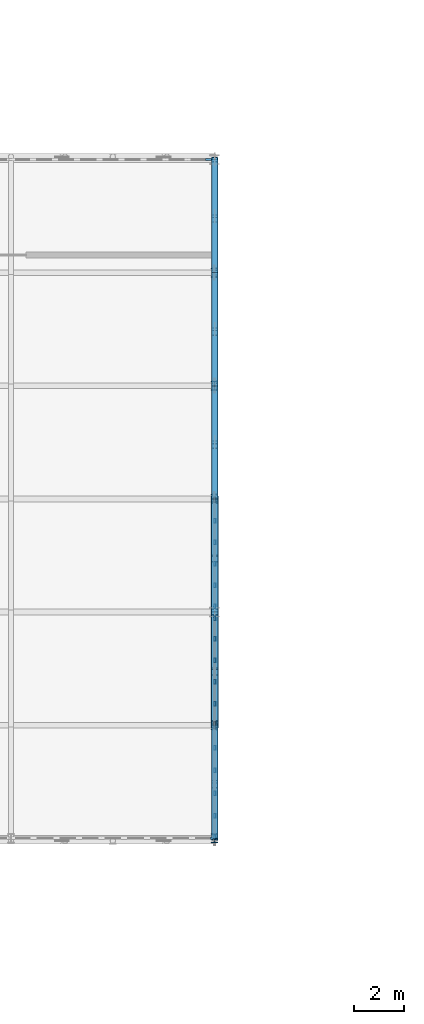
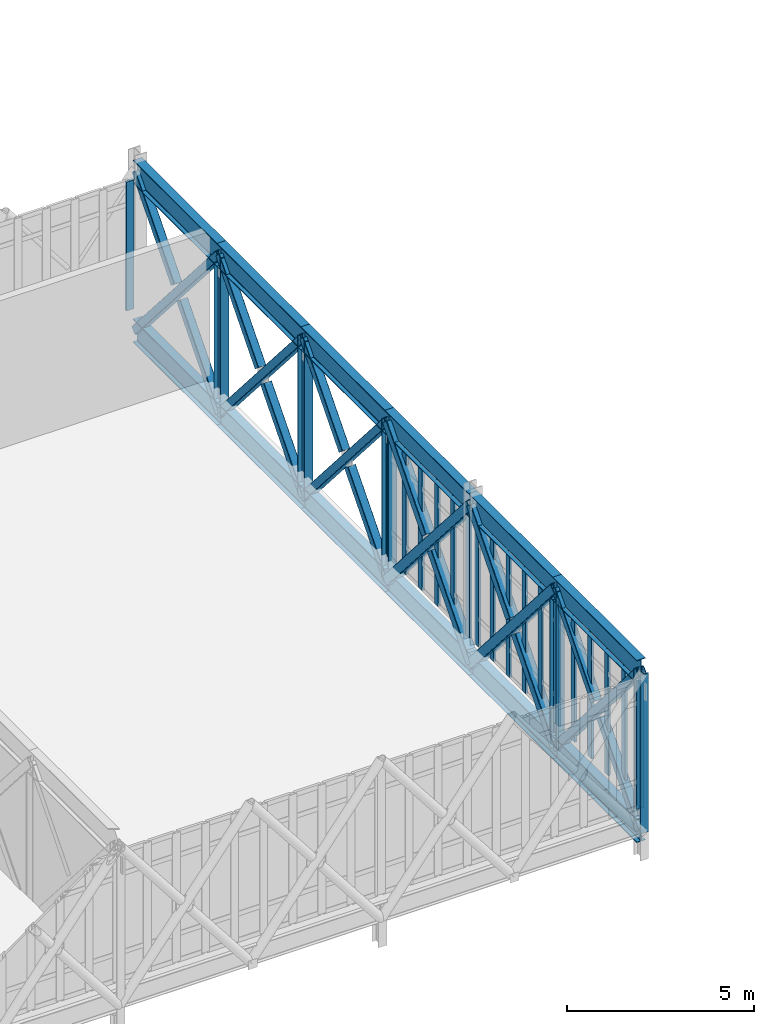
# One storey, part 24 of 107: 43 members, 12 beams, 5 elements without a shape of their own.
"""IFC4 building model written with IfcOpenShell, lengths in metres."""

from ifc_helpers import new_model, si_unit, direction, frame, origin, origin_2d, place, context, subcontext, project, spatial, rectangle, hollow_rectangle, i_section, extrude, material, material_profile, profile_set, type_object, element, aggregate, save


model = new_model("IFC4")

# Units and contexts
model_context = context("Model", 3, precision=1e-05, world=origin(), true_north=direction((0.0, 1.0)))
body_context = subcontext(model_context, "Body", "Model", "MODEL_VIEW")
ifc_project = project(units=[si_unit("LENGTHUNIT", "METRE"), si_unit("AREAUNIT", "SQUARE_METRE"), si_unit("VOLUMEUNIT", "CUBIC_METRE"), si_unit("PLANEANGLEUNIT", "RADIAN"), si_unit("MASSUNIT", "GRAM", prefix="KILO")], contexts=[model_context])

# Site, building, storey
site_placement = place(None, origin())
site = spatial("IfcSite", under=ifc_project, at=site_placement, CompositionType="ELEMENT")
building_placement = place(site_placement, origin())
building = spatial("IfcBuilding", under=site, at=building_placement, Name="Tarnveldt Square Police Headquarters", CompositionType="ELEMENT")
storey_placement = place(building_placement, frame((0.0, 0.0, 14.699951171875)))
storey = spatial("IfcBuildingStorey", under=building, at=storey_placement, Name="L03", CompositionType="ELEMENT", Elevation=14.699951171875)

# Beams
ifc_material_1 = material(Name="Steel 350W", Category="steel")
ifc_material_profile_1 = material_profile(ifc_material_1, i_section(OverallWidth=0.26708984375, OverallDepth=0.76611328125, WebThickness=0.014892578125, FlangeThickness=0.023681640625, FilletRadius=0.02197265625, at=origin_2d()), Name="W760x185")
ifc_profile_set_1 = profile_set([ifc_material_profile_1], Name="Steel 350W")
beam_type = type_object("IfcBeamType", Name="BM-CT-BOT", PredefinedType="BEAM", material=ifc_profile_set_1)
for number, where, z_axis, x_axis, name in (
    (1, (64.800048828125, 34.0, -0.742919921875), (0.0, -1.0, 0.0), (1.0, 0.0, 0.0), "Cantilever Truss CT-4 Bottom Chord 1"),
    (2, (64.800048828125, 34.0, 4.45703125), (0.0, -1.0, 0.0), (1.0, 0.0, 0.0), "Cantilever Truss CT-4 Mid Chord 1"),
    (3, (64.800048828125, 29.5, -0.742919921875), (0.0, -1.0, 0.0), (1.0, 0.0, 0.0), "Cantilever Truss CT-4 Bottom Chord 2"),
    (4, (64.800048828125, 29.5, 4.45703125), (0.0, -1.0, 0.0), (1.0, 0.0, 0.0), "Cantilever Truss CT-4 Mid Chord 2"),
    (5, (64.800048828125, 25.0, -0.742919921875), (0.0, -1.0, 0.0), (1.0, 0.0, 0.0), "Cantilever Truss CT-4 Bottom Chord 3"),
    (6, (64.800048828125, 25.0, 4.45703125), (0.0, -1.0, 0.0), (1.0, 0.0, 0.0), "Cantilever Truss CT-4 Mid Chord 3"),
    (7, (64.800048828125, 20.5, -0.742919921875), (0.0, -1.0, 0.0), (1.0, 0.0, 0.0), "Cantilever Truss CT-4 Bottom Chord 4"),
    (8, (64.800048828125, 20.5, 4.45703125), (0.0, -1.0, 0.0), (1.0, 0.0, 0.0), "Cantilever Truss CT-4 Mid Chord 4"),
    (9, (64.800048828125, 16.0, -0.742919921875), (0.0, -1.0, 0.0), (1.0, 0.0, 0.0), "Cantilever Truss CT-4 Bottom Chord 5"),
    (10, (64.800048828125, 16.0, 4.45703125), (0.0, -1.0, 0.0), (1.0, 0.0, 0.0), "Cantilever Truss CT-4 Mid Chord 5"),
    (11, (64.800048828125, 11.5, -0.742919921875), (0.0, -1.0, 0.0), (1.0, 0.0, 0.0), "Cantilever Truss CT-4 Bottom Chord 6"),
    (12, (64.800048828125, 11.5, 4.45703125), (0.0, -1.0, 0.0), (1.0, 0.0, 0.0), "Cantilever Truss CT-4 Mid Chord 6"),
):
    element("IfcBeam", number, at=place(storey_placement, frame(where, z_axis=z_axis, x_axis=x_axis)), inside=storey, type_object=beam_type, Name=name, PredefinedType="BEAM", context=body_context, shape_type="SweptSolid", body=[
        extrude(i_section(OverallWidth=0.26708984375, OverallDepth=0.76611328125, WebThickness=0.014892578125, FlangeThickness=0.023681640625, FilletRadius=0.02197265625, at=origin_2d()), origin(), (0.0, 0.0, 1.0), 4.5),
    ])

# Curtain wall, members
ifc_material_2 = material(Name="Triple-glazed low-e laminated vision glass", Category="glass")
curtain_wall_type_1 = type_object("IfcCurtainWallType", Name="CW-LT-450x407", PredefinedType="USERDEFINED", material=ifc_material_2)
curtain_wall_1_placement = place(storey_placement, origin())
curtain_wall_1 = element("IfcCurtainWall", 13, at=curtain_wall_1_placement, inside=storey, type_object=curtain_wall_type_1, Name="L03 Curtain Wall CW-L03-037", ObjectType="GLAZED CURTAIN WALL", PredefinedType="USERDEFINED")
ifc_material_3 = material(Name="Thermally broken anodised aluminium 6063-T6", Category="aluminium")
ifc_material_profile_2 = material_profile(ifc_material_3, rectangle(XDim=0.074951171875, YDim=0.199951171875, at=origin_2d()), Name="CW-M75x200")
ifc_profile_set_2 = profile_set([ifc_material_profile_2], Name="Thermally broken anodised aluminium 6063-T6")
member_type_1 = type_object("IfcMemberType", Name="CWM-75x200", PredefinedType="MULLION", material=ifc_profile_set_2)
member_1_placement = place(storey_placement, frame((64.800048828125, 7.03759765625, 0.0), z_axis=(0.0, 0.0, 1.0), x_axis=(-1.0, 0.0, 0.0)))
member_1 = element("IfcMember", 14, at=member_1_placement, type_object=member_type_1, Name="CW-LT16 mullion 1", PredefinedType="MULLION", context=body_context, shape_type="SweptSolid", body=[
    extrude(rectangle(XDim=0.074951171875, YDim=0.199951171875, at=origin_2d()), origin(), (0.0, 0.0, 1.0), 4.066162109375),
])
member_2_placement = place(storey_placement, frame((64.800048828125, 7.89990234375, 0.0), z_axis=(0.0, 0.0, 1.0), x_axis=(-1.0, 0.0, 0.0)))
member_2 = element("IfcMember", 15, at=member_2_placement, type_object=member_type_1, Name="CW-LT16 mullion 2", PredefinedType="MULLION", context=body_context, shape_type="SweptSolid", body=[
    extrude(rectangle(XDim=0.074951171875, YDim=0.199951171875, at=origin_2d()), origin(), (0.0, 0.0, 1.0), 4.066162109375),
])
member_3_placement = place(storey_placement, frame((64.800048828125, 8.800048828125, 0.0), z_axis=(0.0, 0.0, 1.0), x_axis=(-1.0, 0.0, 0.0)))
member_3 = element("IfcMember", 16, at=member_3_placement, type_object=member_type_1, Name="CW-LT16 mullion 3", PredefinedType="MULLION", context=body_context, shape_type="SweptSolid", body=[
    extrude(rectangle(XDim=0.074951171875, YDim=0.199951171875, at=origin_2d()), origin(), (0.0, 0.0, 1.0), 4.066162109375),
])
member_4_placement = place(storey_placement, frame((64.800048828125, 9.699951171875, 0.0), z_axis=(0.0, 0.0, 1.0), x_axis=(-1.0, 0.0, 0.0)))
member_4 = element("IfcMember", 17, at=member_4_placement, type_object=member_type_1, Name="CW-LT16 mullion 4", PredefinedType="MULLION", context=body_context, shape_type="SweptSolid", body=[
    extrude(rectangle(XDim=0.074951171875, YDim=0.199951171875, at=origin_2d()), origin(), (0.0, 0.0, 1.0), 4.066162109375),
])
member_5_placement = place(storey_placement, frame((64.800048828125, 10.60009765625, 0.0), z_axis=(0.0, 0.0, 1.0), x_axis=(-1.0, 0.0, 0.0)))
member_5 = element("IfcMember", 18, at=member_5_placement, type_object=member_type_1, Name="CW-LT16 mullion 5", PredefinedType="MULLION", context=body_context, shape_type="SweptSolid", body=[
    extrude(rectangle(XDim=0.074951171875, YDim=0.199951171875, at=origin_2d()), origin(), (0.0, 0.0, 1.0), 4.066162109375),
])
member_6_placement = place(storey_placement, frame((64.800048828125, 11.46240234375, 0.0), z_axis=(0.0, 0.0, 1.0), x_axis=(-1.0, 0.0, 0.0)))
member_6 = element("IfcMember", 19, at=member_6_placement, type_object=member_type_1, Name="CW-LT16 mullion 6", PredefinedType="MULLION", context=body_context, shape_type="SweptSolid", body=[
    extrude(rectangle(XDim=0.074951171875, YDim=0.199951171875, at=origin_2d()), origin(), (0.0, 0.0, 1.0), 4.066162109375),
])
aggregate(curtain_wall_1, [member_1, member_2, member_3, member_4, member_5, member_6])

curtain_wall_type_2 = type_object("IfcCurtainWallType", Name="CW-LT-430x407", PredefinedType="USERDEFINED", material=ifc_material_2)
curtain_wall_2_placement = place(storey_placement, origin())
curtain_wall_2 = element("IfcCurtainWall", 20, at=curtain_wall_2_placement, inside=storey, type_object=curtain_wall_type_2, Name="L03 Curtain Wall CW-L03-038", ObjectType="GLAZED CURTAIN WALL", PredefinedType="USERDEFINED")
member_7_placement = place(storey_placement, frame((64.800048828125, 11.53759765625, 0.0), z_axis=(0.0, 0.0, 1.0), x_axis=(-1.0, 0.0, 0.0)))
member_7 = element("IfcMember", 21, at=member_7_placement, type_object=member_type_1, Name="CW-LT15 mullion 1", PredefinedType="MULLION", context=body_context, shape_type="SweptSolid", body=[
    extrude(rectangle(XDim=0.074951171875, YDim=0.199951171875, at=origin_2d()), origin(), (0.0, 0.0, 1.0), 4.066162109375),
])
member_8_placement = place(storey_placement, frame((64.800048828125, 12.359619140625, 0.0), z_axis=(0.0, 0.0, 1.0), x_axis=(-1.0, 0.0, 0.0)))
member_8 = element("IfcMember", 22, at=member_8_placement, type_object=member_type_1, Name="CW-LT15 mullion 2", PredefinedType="MULLION", context=body_context, shape_type="SweptSolid", body=[
    extrude(rectangle(XDim=0.074951171875, YDim=0.199951171875, at=origin_2d()), origin(), (0.0, 0.0, 1.0), 4.066162109375),
])
member_9_placement = place(storey_placement, frame((64.800048828125, 13.21923828125, 0.0), z_axis=(0.0, 0.0, 1.0), x_axis=(-1.0, 0.0, 0.0)))
member_9 = element("IfcMember", 23, at=member_9_placement, type_object=member_type_1, Name="CW-LT15 mullion 3", PredefinedType="MULLION", context=body_context, shape_type="SweptSolid", body=[
    extrude(rectangle(XDim=0.074951171875, YDim=0.199951171875, at=origin_2d()), origin(), (0.0, 0.0, 1.0), 4.066162109375),
])
member_10_placement = place(storey_placement, frame((64.800048828125, 14.078857421875, 0.0), z_axis=(0.0, 0.0, 1.0), x_axis=(-1.0, 0.0, 0.0)))
member_10 = element("IfcMember", 24, at=member_10_placement, type_object=member_type_1, Name="CW-LT15 mullion 4", PredefinedType="MULLION", context=body_context, shape_type="SweptSolid", body=[
    extrude(rectangle(XDim=0.074951171875, YDim=0.199951171875, at=origin_2d()), origin(), (0.0, 0.0, 1.0), 4.066162109375),
])
member_11_placement = place(storey_placement, frame((64.800048828125, 14.9384765625, 0.0), z_axis=(0.0, 0.0, 1.0), x_axis=(-1.0, 0.0, 0.0)))
member_11 = element("IfcMember", 25, at=member_11_placement, type_object=member_type_1, Name="CW-LT15 mullion 5", PredefinedType="MULLION", context=body_context, shape_type="SweptSolid", body=[
    extrude(rectangle(XDim=0.074951171875, YDim=0.199951171875, at=origin_2d()), origin(), (0.0, 0.0, 1.0), 4.066162109375),
])
member_12_placement = place(storey_placement, frame((64.800048828125, 15.760498046875, 0.0), z_axis=(0.0, 0.0, 1.0), x_axis=(-1.0, 0.0, 0.0)))
member_12 = element("IfcMember", 26, at=member_12_placement, type_object=member_type_1, Name="CW-LT15 mullion 6", PredefinedType="MULLION", context=body_context, shape_type="SweptSolid", body=[
    extrude(rectangle(XDim=0.074951171875, YDim=0.199951171875, at=origin_2d()), origin(), (0.0, 0.0, 1.0), 4.066162109375),
])
aggregate(curtain_wall_2, [member_7, member_8, member_9, member_10, member_11, member_12])

curtain_wall_3_placement = place(storey_placement, origin())
curtain_wall_3 = element("IfcCurtainWall", 27, at=curtain_wall_3_placement, inside=storey, type_object=curtain_wall_type_2, Name="L03 Curtain Wall CW-L03-039", ObjectType="GLAZED CURTAIN WALL", PredefinedType="USERDEFINED")
member_13_placement = place(storey_placement, frame((64.800048828125, 16.239501953125, 0.0), z_axis=(0.0, 0.0, 1.0), x_axis=(-1.0, 0.0, 0.0)))
member_13 = element("IfcMember", 28, at=member_13_placement, type_object=member_type_1, Name="CW-LT15 mullion 1", PredefinedType="MULLION", context=body_context, shape_type="SweptSolid", body=[
    extrude(rectangle(XDim=0.074951171875, YDim=0.199951171875, at=origin_2d()), origin(), (0.0, 0.0, 1.0), 4.066162109375),
])
member_14_placement = place(storey_placement, frame((64.800048828125, 17.0615234375, 0.0), z_axis=(0.0, 0.0, 1.0), x_axis=(-1.0, 0.0, 0.0)))
member_14 = element("IfcMember", 29, at=member_14_placement, type_object=member_type_1, Name="CW-LT15 mullion 2", PredefinedType="MULLION", context=body_context, shape_type="SweptSolid", body=[
    extrude(rectangle(XDim=0.074951171875, YDim=0.199951171875, at=origin_2d()), origin(), (0.0, 0.0, 1.0), 4.066162109375),
])
member_15_placement = place(storey_placement, frame((64.800048828125, 17.921142578125, 0.0), z_axis=(0.0, 0.0, 1.0), x_axis=(-1.0, 0.0, 0.0)))
member_15 = element("IfcMember", 30, at=member_15_placement, type_object=member_type_1, Name="CW-LT15 mullion 3", PredefinedType="MULLION", context=body_context, shape_type="SweptSolid", body=[
    extrude(rectangle(XDim=0.074951171875, YDim=0.199951171875, at=origin_2d()), origin(), (0.0, 0.0, 1.0), 4.066162109375),
])
member_16_placement = place(storey_placement, frame((64.800048828125, 18.78076171875, 0.0), z_axis=(0.0, 0.0, 1.0), x_axis=(-1.0, 0.0, 0.0)))
member_16 = element("IfcMember", 31, at=member_16_placement, type_object=member_type_1, Name="CW-LT15 mullion 4", PredefinedType="MULLION", context=body_context, shape_type="SweptSolid", body=[
    extrude(rectangle(XDim=0.074951171875, YDim=0.199951171875, at=origin_2d()), origin(), (0.0, 0.0, 1.0), 4.066162109375),
])
member_17_placement = place(storey_placement, frame((64.800048828125, 19.640380859375, 0.0), z_axis=(0.0, 0.0, 1.0), x_axis=(-1.0, 0.0, 0.0)))
member_17 = element("IfcMember", 32, at=member_17_placement, type_object=member_type_1, Name="CW-LT15 mullion 5", PredefinedType="MULLION", context=body_context, shape_type="SweptSolid", body=[
    extrude(rectangle(XDim=0.074951171875, YDim=0.199951171875, at=origin_2d()), origin(), (0.0, 0.0, 1.0), 4.066162109375),
])
member_18_placement = place(storey_placement, frame((64.800048828125, 20.46240234375, 0.0), z_axis=(0.0, 0.0, 1.0), x_axis=(-1.0, 0.0, 0.0)))
member_18 = element("IfcMember", 33, at=member_18_placement, type_object=member_type_1, Name="CW-LT15 mullion 6", PredefinedType="MULLION", context=body_context, shape_type="SweptSolid", body=[
    extrude(rectangle(XDim=0.074951171875, YDim=0.199951171875, at=origin_2d()), origin(), (0.0, 0.0, 1.0), 4.066162109375),
])
aggregate(curtain_wall_3, [member_13, member_14, member_15, member_16, member_17, member_18])

# Curtain wall, member
ifc_material_4 = material(Name="UL 752 Level III laminated ballistic vision glass", Category="glass")
curtain_wall_type_3 = type_object("IfcCurtainWallType", Name="CW-BL-810x422", PredefinedType="USERDEFINED", material=ifc_material_4)
curtain_wall_4_placement = place(storey_placement, origin())
curtain_wall_4 = element("IfcCurtainWall", 34, at=curtain_wall_4_placement, inside=storey, type_object=curtain_wall_type_3, Name="L03 Curtain Wall CW-L03-029", ObjectType="BALLISTIC CURTAIN WALL", PredefinedType="USERDEFINED")
ifc_material_profile_3 = material_profile(ifc_material_3, rectangle(XDim=0.0849609375, YDim=0.239990234375, at=origin_2d()), Name="CW-M85x240")
ifc_profile_set_3 = profile_set([ifc_material_profile_3], Name="Thermally broken anodised aluminium 6063-T6")
member_type_2 = type_object("IfcMemberType", Name="CWM-85x240", PredefinedType="MULLION", material=ifc_profile_set_3)
member_19_placement = place(storey_placement, frame((64.757568359375, 7.0, 0.0), z_axis=(0.0, 0.0, 1.0), x_axis=(0.0, 1.0, 0.0)))
member_19 = element("IfcMember", 35, at=member_19_placement, type_object=member_type_2, Name="CW-BL12 mullion 10", PredefinedType="MULLION", context=body_context, shape_type="SweptSolid", body=[
    extrude(rectangle(XDim=0.0849609375, YDim=0.239990234375, at=origin_2d()), origin(), (0.0, 0.0, 1.0), 4.219970703125),
])
aggregate(curtain_wall_4, [member_19])

curtain_wall_type_4 = type_object("IfcCurtainWallType", Name="CW-BL-790x422", PredefinedType="USERDEFINED", material=ifc_material_4)
curtain_wall_5_placement = place(storey_placement, origin())
curtain_wall_5 = element("IfcCurtainWall", 36, at=curtain_wall_5_placement, inside=storey, type_object=curtain_wall_type_4, Name="L03 Curtain Wall CW-L03-032", ObjectType="BALLISTIC CURTAIN WALL", PredefinedType="USERDEFINED")
member_20_placement = place(storey_placement, frame((64.555419921875, 34.0, 0.0), z_axis=(0.0, 0.0, 1.0), x_axis=(0.0, 1.0, 0.0)))
member_20 = element("IfcMember", 37, at=member_20_placement, type_object=member_type_2, Name="CW-BL14 mullion 10", PredefinedType="MULLION", context=body_context, shape_type="SweptSolid", body=[
    extrude(rectangle(XDim=0.0849609375, YDim=0.239990234375, at=origin_2d()), origin(), (0.0, 0.0, 1.0), 4.219970703125),
])
aggregate(curtain_wall_5, [member_20])

# Members
ifc_material_profile_4 = material_profile(ifc_material_1, i_section(OverallWidth=0.257080078125, OverallDepth=0.363037109375, WebThickness=0.012939453125, FlangeThickness=0.021728515625, FilletRadius=0.01611328125, at=origin_2d()), Name="W360x122")
ifc_profile_set_4 = profile_set([ifc_material_profile_4], Name="Steel 350W")
member_type_3 = type_object("IfcMemberType", Name="MEM-CT-POST", PredefinedType="STRUT", material=ifc_profile_set_4)
for number, where, z_axis, x_axis, name in (
    (38, (64.800048828125, 29.5, -0.742919921875), (0.0, 0.0, 1.0), (1.0, 0.0, 0.0), "Cantilever Truss CT-4 L03 Post 2"),
    (39, (64.800048828125, 25.0, -0.742919921875), (0.0, 0.0, 1.0), (1.0, 0.0, 0.0), "Cantilever Truss CT-4 L03 Post 3"),
    (40, (64.800048828125, 20.5, -0.742919921875), (0.0, 0.0, 1.0), (1.0, 0.0, 0.0), "Cantilever Truss CT-4 L03 Post 4"),
    (41, (64.800048828125, 11.5, -0.742919921875), (0.0, 0.0, 1.0), (1.0, 0.0, 0.0), "Cantilever Truss CT-4 L03 Post 6"),
    (42, (64.800048828125, 7.0, -0.742919921875), (0.0, 0.0, 1.0), (1.0, 0.0, 0.0), "Cantilever Truss CT-4 L03 Post 7"),
):
    element("IfcMember", number, at=place(storey_placement, frame(where, z_axis=z_axis, x_axis=x_axis)), inside=storey, type_object=member_type_3, Name=name, PredefinedType="STRUT", context=body_context, shape_type="SweptSolid", body=[
        extrude(i_section(OverallWidth=0.257080078125, OverallDepth=0.363037109375, WebThickness=0.012939453125, FlangeThickness=0.021728515625, FilletRadius=0.01611328125, at=origin_2d()), origin(), (0.0, 0.0, 1.0), 5.199951171875),
    ])
ifc_material_profile_5 = material_profile(ifc_material_1, hollow_rectangle(XDim=0.3046875, YDim=0.3046875, WallThickness=0.015869140625, InnerFilletRadius=0.015869140625, OuterFilletRadius=0.03173828125, at=origin_2d()), Name="HSS305x305x16")
ifc_profile_set_5 = profile_set([ifc_material_profile_5], Name="Steel 350W")
member_type_4 = type_object("IfcMemberType", Name="MEM-CT-WEB1", PredefinedType="BRACE", material=ifc_profile_set_5)
member_21_placement = place(storey_placement, frame((64.800048828125, 20.5, -0.742919921875), z_axis=(0.0, -0.654380257886, 0.756165641966), x_axis=(1.0, 0.0, 0.0)))
element("IfcMember", 43, at=member_21_placement, inside=storey, type_object=member_type_4, Name="Cantilever Truss CT-4 L03 Web A4", PredefinedType="BRACE", context=body_context, shape_type="SweptSolid", body=[
    extrude(hollow_rectangle(XDim=0.3046875, YDim=0.3046875, WallThickness=0.015869140625, InnerFilletRadius=0.015869140625, OuterFilletRadius=0.03173828125, at=origin_2d()), origin(), (0.0, 0.0, 1.0), 6.876708984375),
])
for number, where, z_axis, x_axis, name in (
    (44, (64.800048828125, 16.0, -0.742919921875), (0.0, 0.654370071154, 0.756174457369), (-1.0, 0.0, 0.0), "Cantilever Truss CT-4 L03 Web B4 Lower"),
    (45, (64.800048828125, 18.39404296875, 2.0234375), (0.0, 0.654370071154, 0.756174457369), (-1.0, 0.0, 0.0), "Cantilever Truss CT-4 L03 Web B4 Upper"),
):
    element("IfcMember", number, at=place(storey_placement, frame(where, z_axis=z_axis, x_axis=x_axis)), inside=storey, type_object=member_type_4, Name=name, PredefinedType="BRACE", context=body_context, shape_type="SweptSolid", body=[
        extrude(hollow_rectangle(XDim=0.3046875, YDim=0.3046875, WallThickness=0.015869140625, InnerFilletRadius=0.015869140625, OuterFilletRadius=0.03173828125, at=origin_2d()), origin(), (0.0, 0.0, 1.0), 3.21826171875),
    ])
member_22_placement = place(storey_placement, frame((64.800048828125, 16.0, -0.742919921875), z_axis=(0.0, -0.654380257886, 0.756165641966), x_axis=(1.0, 0.0, 0.0)))
element("IfcMember", 46, at=member_22_placement, inside=storey, type_object=member_type_4, Name="Cantilever Truss CT-4 L03 Web A5", PredefinedType="BRACE", context=body_context, shape_type="SweptSolid", body=[
    extrude(hollow_rectangle(XDim=0.3046875, YDim=0.3046875, WallThickness=0.015869140625, InnerFilletRadius=0.015869140625, OuterFilletRadius=0.03173828125, at=origin_2d()), origin(), (0.0, 0.0, 1.0), 6.876708984375),
])
for number, where, z_axis, x_axis, name in (
    (47, (64.800048828125, 11.5, -0.742919921875), (0.0, 0.654370071154, 0.756174457369), (-1.0, 0.0, 0.0), "Cantilever Truss CT-4 L03 Web B5 Lower"),
    (48, (64.800048828125, 13.89404296875, 2.0234375), (0.0, 0.654370071154, 0.756174457369), (-1.0, 0.0, 0.0), "Cantilever Truss CT-4 L03 Web B5 Upper"),
):
    element("IfcMember", number, at=place(storey_placement, frame(where, z_axis=z_axis, x_axis=x_axis)), inside=storey, type_object=member_type_4, Name=name, PredefinedType="BRACE", context=body_context, shape_type="SweptSolid", body=[
        extrude(hollow_rectangle(XDim=0.3046875, YDim=0.3046875, WallThickness=0.015869140625, InnerFilletRadius=0.015869140625, OuterFilletRadius=0.03173828125, at=origin_2d()), origin(), (0.0, 0.0, 1.0), 3.21826171875),
    ])
ifc_material_profile_6 = material_profile(ifc_material_1, hollow_rectangle(XDim=0.25390625, YDim=0.25390625, WallThickness=0.0126953125, InnerFilletRadius=0.0126953125, OuterFilletRadius=0.025390625, at=origin_2d()), Name="HSS254x254x13")
ifc_profile_set_6 = profile_set([ifc_material_profile_6], Name="Steel 350W")
member_type_5 = type_object("IfcMemberType", Name="MEM-CT-WEB2", PredefinedType="BRACE", material=ifc_profile_set_6)
member_23_placement = place(storey_placement, frame((64.800048828125, 34.0, -0.742919921875), z_axis=(0.0, -0.654380257886, 0.756165641966), x_axis=(1.0, 0.0, 0.0)))
element("IfcMember", 49, at=member_23_placement, inside=storey, type_object=member_type_5, Name="Cantilever Truss CT-4 L03 Web A1", PredefinedType="BRACE", context=body_context, shape_type="SweptSolid", body=[
    extrude(hollow_rectangle(XDim=0.25390625, YDim=0.25390625, WallThickness=0.0126953125, InnerFilletRadius=0.0126953125, OuterFilletRadius=0.025390625, at=origin_2d()), origin(), (0.0, 0.0, 1.0), 6.876708984375),
])
for number, where, z_axis, x_axis, name in (
    (50, (64.800048828125, 29.5, -0.742919921875), (0.0, 0.654370071154, 0.756174457369), (-1.0, 0.0, 0.0), "Cantilever Truss CT-4 L03 Web B1 Lower"),
    (51, (64.800048828125, 31.89404296875, 2.0234375), (0.0, 0.654370071154, 0.756174457369), (-1.0, 0.0, 0.0), "Cantilever Truss CT-4 L03 Web B1 Upper"),
):
    element("IfcMember", number, at=place(storey_placement, frame(where, z_axis=z_axis, x_axis=x_axis)), inside=storey, type_object=member_type_5, Name=name, PredefinedType="BRACE", context=body_context, shape_type="SweptSolid", body=[
        extrude(hollow_rectangle(XDim=0.25390625, YDim=0.25390625, WallThickness=0.0126953125, InnerFilletRadius=0.0126953125, OuterFilletRadius=0.025390625, at=origin_2d()), origin(), (0.0, 0.0, 1.0), 3.21826171875),
    ])
member_24_placement = place(storey_placement, frame((64.800048828125, 29.5, -0.742919921875), z_axis=(0.0, -0.654380257886, 0.756165641966), x_axis=(1.0, 0.0, 0.0)))
element("IfcMember", 52, at=member_24_placement, inside=storey, type_object=member_type_5, Name="Cantilever Truss CT-4 L03 Web A2", PredefinedType="BRACE", context=body_context, shape_type="SweptSolid", body=[
    extrude(hollow_rectangle(XDim=0.25390625, YDim=0.25390625, WallThickness=0.0126953125, InnerFilletRadius=0.0126953125, OuterFilletRadius=0.025390625, at=origin_2d()), origin(), (0.0, 0.0, 1.0), 6.876708984375),
])
for number, where, z_axis, x_axis, name in (
    (53, (64.800048828125, 25.0, -0.742919921875), (0.0, 0.654370071154, 0.756174457369), (-1.0, 0.0, 0.0), "Cantilever Truss CT-4 L03 Web B2 Lower"),
    (54, (64.800048828125, 27.39404296875, 2.0234375), (0.0, 0.654370071154, 0.756174457369), (-1.0, 0.0, 0.0), "Cantilever Truss CT-4 L03 Web B2 Upper"),
):
    element("IfcMember", number, at=place(storey_placement, frame(where, z_axis=z_axis, x_axis=x_axis)), inside=storey, type_object=member_type_5, Name=name, PredefinedType="BRACE", context=body_context, shape_type="SweptSolid", body=[
        extrude(hollow_rectangle(XDim=0.25390625, YDim=0.25390625, WallThickness=0.0126953125, InnerFilletRadius=0.0126953125, OuterFilletRadius=0.025390625, at=origin_2d()), origin(), (0.0, 0.0, 1.0), 3.21826171875),
    ])
member_25_placement = place(storey_placement, frame((64.800048828125, 25.0, -0.742919921875), z_axis=(0.0, -0.654380257886, 0.756165641966), x_axis=(1.0, 0.0, 0.0)))
element("IfcMember", 55, at=member_25_placement, inside=storey, type_object=member_type_5, Name="Cantilever Truss CT-4 L03 Web A3", PredefinedType="BRACE", context=body_context, shape_type="SweptSolid", body=[
    extrude(hollow_rectangle(XDim=0.25390625, YDim=0.25390625, WallThickness=0.0126953125, InnerFilletRadius=0.0126953125, OuterFilletRadius=0.025390625, at=origin_2d()), origin(), (0.0, 0.0, 1.0), 6.876708984375),
])
for number, where, z_axis, x_axis, name in (
    (56, (64.800048828125, 20.5, -0.742919921875), (0.0, 0.654370071154, 0.756174457369), (-1.0, 0.0, 0.0), "Cantilever Truss CT-4 L03 Web B3 Lower"),
    (57, (64.800048828125, 22.89404296875, 2.0234375), (0.0, 0.654370071154, 0.756174457369), (-1.0, 0.0, 0.0), "Cantilever Truss CT-4 L03 Web B3 Upper"),
):
    element("IfcMember", number, at=place(storey_placement, frame(where, z_axis=z_axis, x_axis=x_axis)), inside=storey, type_object=member_type_5, Name=name, PredefinedType="BRACE", context=body_context, shape_type="SweptSolid", body=[
        extrude(hollow_rectangle(XDim=0.25390625, YDim=0.25390625, WallThickness=0.0126953125, InnerFilletRadius=0.0126953125, OuterFilletRadius=0.025390625, at=origin_2d()), origin(), (0.0, 0.0, 1.0), 3.21826171875),
    ])
member_26_placement = place(storey_placement, frame((64.800048828125, 11.5, -0.742919921875), z_axis=(0.0, -0.654380257886, 0.756165641966), x_axis=(1.0, 0.0, 0.0)))
element("IfcMember", 58, at=member_26_placement, inside=storey, type_object=member_type_5, Name="Cantilever Truss CT-4 L03 Web A6", PredefinedType="BRACE", context=body_context, shape_type="SweptSolid", body=[
    extrude(hollow_rectangle(XDim=0.25390625, YDim=0.25390625, WallThickness=0.0126953125, InnerFilletRadius=0.0126953125, OuterFilletRadius=0.025390625, at=origin_2d()), origin(), (0.0, 0.0, 1.0), 6.876708984375),
])
for number, where, z_axis, x_axis, name in (
    (59, (64.800048828125, 7.0, -0.742919921875), (0.0, 0.654370071154, 0.756174457369), (-1.0, 0.0, 0.0), "Cantilever Truss CT-4 L03 Web B6 Lower"),
    (60, (64.800048828125, 9.39404296875, 2.0234375), (0.0, 0.654370071154, 0.756174457369), (-1.0, 0.0, 0.0), "Cantilever Truss CT-4 L03 Web B6 Upper"),
):
    element("IfcMember", number, at=place(storey_placement, frame(where, z_axis=z_axis, x_axis=x_axis)), inside=storey, type_object=member_type_5, Name=name, PredefinedType="BRACE", context=body_context, shape_type="SweptSolid", body=[
        extrude(hollow_rectangle(XDim=0.25390625, YDim=0.25390625, WallThickness=0.0126953125, InnerFilletRadius=0.0126953125, OuterFilletRadius=0.025390625, at=origin_2d()), origin(), (0.0, 0.0, 1.0), 3.21826171875),
    ])

save(model, "model.ifc")
